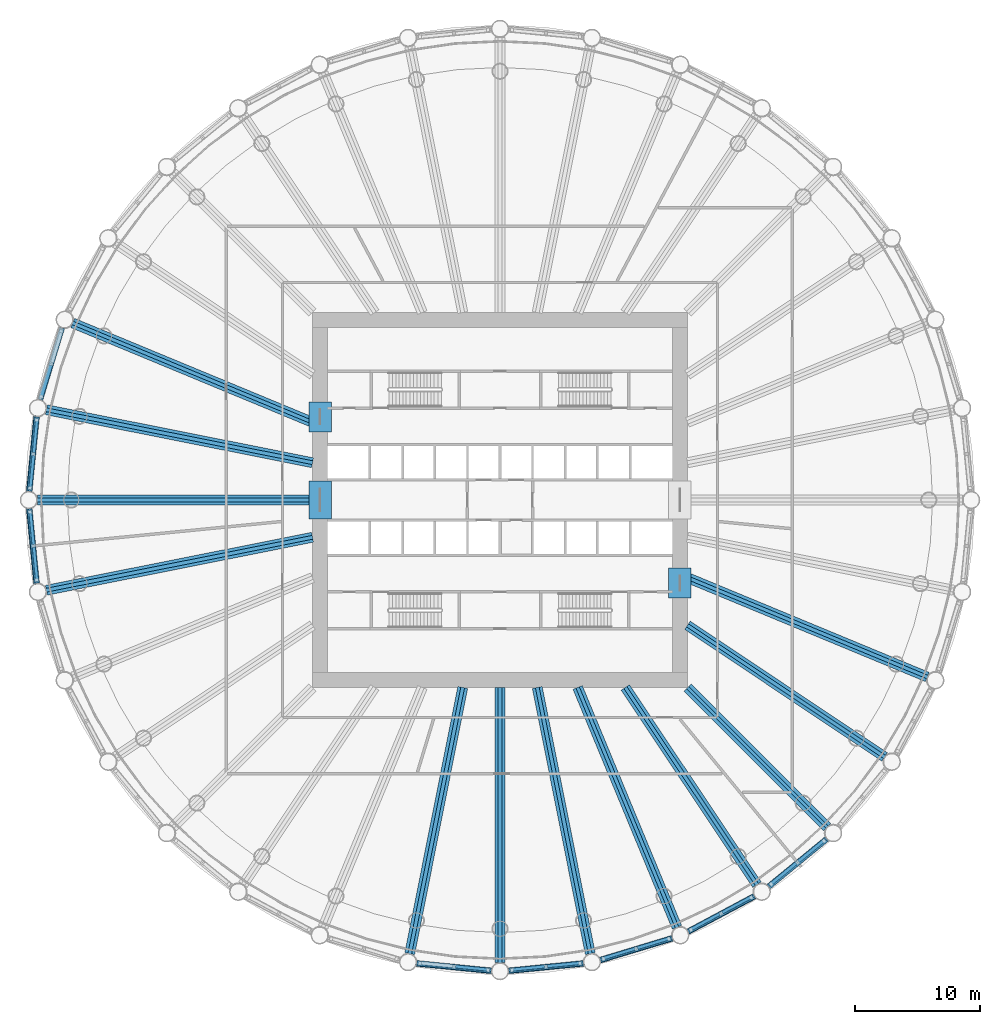
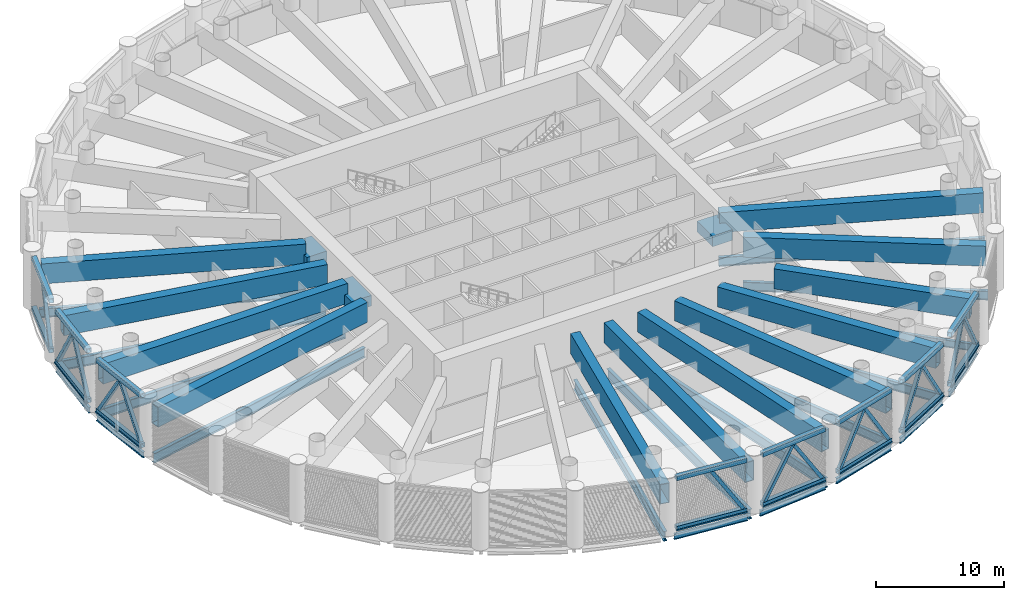
# One storey, part 2 of 26: 37 members, 34 beams, 7 elements without a shape of their own.
"""IFC4 building model written with IfcOpenShell, lengths in metres."""

from ifc_helpers import new_model, si_unit, direction, frame, origin, origin_2d, place, context, subcontext, project, spatial, rectangle, hollow_rectangle, i_section, extrude, material, material_profile, profile_set, type_object, element, aggregate, save


model = new_model("IFC4")

# Units and contexts
model_context = context("Model", 3, precision=1e-05, world=origin(), true_north=direction((0.0, 1.0)))
body_context = subcontext(model_context, "Body", "Model", "MODEL_VIEW")
ifc_project = project(units=[si_unit("LENGTHUNIT", "METRE"), si_unit("AREAUNIT", "SQUARE_METRE"), si_unit("VOLUMEUNIT", "CUBIC_METRE"), si_unit("PLANEANGLEUNIT", "RADIAN"), si_unit("MASSUNIT", "GRAM", prefix="KILO")], contexts=[model_context])

# Site, building, storey
site_placement = place(None, origin())
site = spatial("IfcSite", under=ifc_project, at=site_placement, CompositionType="ELEMENT")
building_placement = place(site_placement, origin())
building = spatial("IfcBuilding", under=site, at=building_placement, Name="Corvane Civic Tower", CompositionType="ELEMENT")
storey_placement = place(building_placement, frame((0.0, 0.0, 85.0)))
storey = spatial("IfcBuildingStorey", under=building, at=storey_placement, Name="L19", CompositionType="ELEMENT", Elevation=85.0)

# Members
ifc_material_1 = material(Name="Steel ASTM A500 Gr C", Category="steel")
ifc_material_profile_1 = material_profile(ifc_material_1, hollow_rectangle(XDim=0.406494140625, YDim=0.406494140625, WallThickness=0.0146484375, at=origin_2d()), Name="HSS16X16X5/8")
ifc_profile_set_1 = profile_set([ifc_material_profile_1], Name="Steel ASTM A500 Gr C")
member_type_1 = type_object("IfcMemberType", Name="BELT CHORD HSS16X16X5/8", PredefinedType="CHORD", material=ifc_profile_set_1)
for number, where, z_axis, x_axis, name in (
    (1, (26.116943359375, -27.10205078125, 4.94677734375), (-0.773023150081, -0.634377812851, 0.0), (0.634377812851, -0.773023150081, 0.0), "Belt truss BT-L19"),
    (2, (26.116943359375, -27.10205078125, 0.203125), (-0.773023150081, -0.634377812851, 0.0), (0.634377812851, -0.773023150081, 0.0), "Belt truss BT-L19"),
):
    element("IfcMember", number, at=place(storey_placement, frame(where, z_axis=z_axis, x_axis=x_axis)), inside=storey, type_object=member_type_1, Name=name, PredefinedType="CHORD", context=body_context, shape_type="SweptSolid", body=[
        extrude(hollow_rectangle(XDim=0.406494140625, YDim=0.406494140625, WallThickness=0.0146484375, at=origin_2d()), origin(), (0.0, 0.0, 1.0), 5.990478515625),
    ])
for number, where, z_axis, x_axis, name in (
    (3, (20.32763671875, -31.676513671875, 4.94677734375), (-0.881926118213, -0.471387655772, 0.0), (0.471387655772, -0.881926118213, 0.0), "Belt truss BT-L19"),
    (4, (20.32763671875, -31.676513671875, 0.203125), (-0.881926118213, -0.471387655772, 0.0), (0.471387655772, -0.881926118213, 0.0), "Belt truss BT-L19"),
):
    element("IfcMember", number, at=place(storey_placement, frame(where, z_axis=z_axis, x_axis=x_axis)), inside=storey, type_object=member_type_1, Name=name, PredefinedType="CHORD", context=body_context, shape_type="SweptSolid", body=[
        extrude(hollow_rectangle(XDim=0.406494140625, YDim=0.406494140625, WallThickness=0.0146484375, at=origin_2d()), origin(), (0.0, 0.0, 1.0), 5.990234375),
    ])
for number, where, z_axis, x_axis, name in (
    (5, (13.75732421875, -35.033447265625, 4.94677734375), (-0.956935582172, -0.290300347181, 0.0), (0.290300347181, -0.956935582172, 0.0), "Belt truss BT-L19"),
    (6, (13.75732421875, -35.033447265625, 0.203125), (-0.956935582172, -0.290300347181, 0.0), (0.290300347181, -0.956935582172, 0.0), "Belt truss BT-L19"),
):
    element("IfcMember", number, at=place(storey_placement, frame(where, z_axis=z_axis, x_axis=x_axis)), inside=storey, type_object=member_type_1, Name=name, PredefinedType="CHORD", context=body_context, shape_type="SweptSolid", body=[
        extrude(hollow_rectangle(XDim=0.406494140625, YDim=0.406494140625, WallThickness=0.0146484375, at=origin_2d()), origin(), (0.0, 0.0, 1.0), 5.990478515625),
    ])
for number, where, z_axis, x_axis, name in (
    (7, (6.658447265625, -37.044189453125, 4.94677734375), (-0.995185362969, -0.098010679686, 0.0), (0.098010679686, -0.995185362969, 0.0), "Belt truss BT-L19"),
    (8, (6.658447265625, -37.044189453125, 0.203125), (-0.995185362969, -0.098010679686, 0.0), (0.098010679686, -0.995185362969, 0.0), "Belt truss BT-L19"),
    (9, (-0.696533203125, -37.63134765625, 4.94677734375), (-0.995185362969, 0.098010679686, 0.0), (-0.098010679686, -0.995185362969, 0.0), "Belt truss BT-L19"),
    (10, (-0.696533203125, -37.63134765625, 0.203125), (-0.995185362969, 0.098010679686, 0.0), (-0.098010679686, -0.995185362969, 0.0), "Belt truss BT-L19"),
    (11, (-37.044189453125, -6.658447265625, 4.94677734375), (-0.098010679686, 0.995185362969, 0.0), (-0.995185362969, -0.098010679686, 0.0), "Belt truss BT-L19"),
    (12, (-37.044189453125, -6.658447265625, 0.203125), (-0.098010679686, 0.995185362969, 0.0), (-0.995185362969, -0.098010679686, 0.0), "Belt truss BT-L19"),
    (13, (-37.63134765625, 0.696533203125, 4.94677734375), (0.098010679686, 0.995185362969, 0.0), (-0.995185362969, 0.098010679686, 0.0), "Belt truss BT-L19"),
    (14, (-37.63134765625, 0.696533203125, 0.203125), (0.098010679686, 0.995185362969, 0.0), (-0.995185362969, 0.098010679686, 0.0), "Belt truss BT-L19"),
):
    element("IfcMember", number, at=place(storey_placement, frame(where, z_axis=z_axis, x_axis=x_axis)), inside=storey, type_object=member_type_1, Name=name, PredefinedType="CHORD", context=body_context, shape_type="SweptSolid", body=[
        extrude(hollow_rectangle(XDim=0.406494140625, YDim=0.406494140625, WallThickness=0.0146484375, at=origin_2d()), origin(), (0.0, 0.0, 1.0), 5.99072265625),
    ])
for number, where, z_axis, x_axis, name in (
    (15, (-36.7724609375, 8.02490234375, 4.94677734375), (0.290300347181, 0.956935582172, 0.0), (-0.956935582172, 0.290300347181, 0.0), "Belt truss BT-L19"),
    (16, (-36.7724609375, 8.02490234375, 0.203125), (0.290300347181, 0.956935582172, 0.0), (-0.956935582172, 0.290300347181, 0.0), "Belt truss BT-L19"),
):
    element("IfcMember", number, at=place(storey_placement, frame(where, z_axis=z_axis, x_axis=x_axis)), inside=storey, type_object=member_type_1, Name=name, PredefinedType="CHORD", context=body_context, shape_type="SweptSolid", body=[
        extrude(hollow_rectangle(XDim=0.406494140625, YDim=0.406494140625, WallThickness=0.0146484375, at=origin_2d()), origin(), (0.0, 0.0, 1.0), 5.990478515625),
    ])
ifc_material_2 = material(Name="Steel ASTM A500 Gr C", Category="steel")
ifc_material_profile_2 = material_profile(ifc_material_2, hollow_rectangle(XDim=0.3046875, YDim=0.3046875, WallThickness=0.01171875, at=origin_2d()), Name="HSS12X12X1/2")
ifc_profile_set_2 = profile_set([ifc_material_profile_2], Name="Steel ASTM A500 Gr C")
member_type_2 = type_object("IfcMemberType", Name="BELT DIAGONAL HSS12X12X1/2", PredefinedType="BRACE", material=ifc_profile_set_2)
for number, where, z_axis, x_axis, name in (
    (17, (25.923583984375, -27.2607421875, 0.406494140625), (-0.413424223183, -0.339272317529, 0.844970239857), (0.634375212776, -0.773025283814, 0.0), "Belt truss BT-L19"),
    (18, (21.679443359375, -30.74365234375, 0.406494140625), (0.413424223183, 0.339272317529, 0.844970239857), (-0.634375212776, 0.773025283814, 0.0), "Belt truss BT-L19"),
    (19, (20.107177734375, -31.794189453125, 0.406494140625), (-0.471643813443, -0.252136330684, 0.844973007847), (0.471451215163, -0.881892142907, 0.0), "Belt truss BT-L19"),
):
    element("IfcMember", number, at=place(storey_placement, frame(where, z_axis=z_axis, x_axis=x_axis)), inside=storey, type_object=member_type_2, Name=name, PredefinedType="BRACE", context=body_context, shape_type="SweptSolid", body=[
        extrude(hollow_rectangle(XDim=0.3046875, YDim=0.3046875, WallThickness=0.01171875, at=origin_2d()), origin(), (0.0, 0.0, 1.0), 5.1328125),
    ])
member_1_placement = place(storey_placement, frame((15.26513671875, -34.382568359375, 0.406494140625), z_axis=(0.471680795624, 0.252130674357, 0.844954052057), x_axis=(-0.47141424069, 0.881911908115, 0.0)))
element("IfcMember", 20, at=member_1_placement, inside=storey, type_object=member_type_2, Name="Belt truss BT-L19", PredefinedType="BRACE", context=body_context, shape_type="SweptSolid", body=[
    extrude(hollow_rectangle(XDim=0.3046875, YDim=0.3046875, WallThickness=0.01171875, at=origin_2d()), origin(), (0.0, 0.0, 1.0), 5.133056640625),
])
member_2_placement = place(storey_placement, frame((13.51806640625, -35.106201171875, 0.406494140625), z_axis=(-0.511789432368, -0.155201572288, 0.844975768218), x_axis=(0.290202393071, -0.956965292503, 0.0)))
element("IfcMember", 21, at=member_2_placement, inside=storey, type_object=member_type_2, Name="Belt truss BT-L19", PredefinedType="BRACE", context=body_context, shape_type="SweptSolid", body=[
    extrude(hollow_rectangle(XDim=0.3046875, YDim=0.3046875, WallThickness=0.01171875, at=origin_2d()), origin(), (0.0, 0.0, 1.0), 5.1328125),
])
for number, where, z_axis, x_axis, name in (
    (22, (8.26416015625, -36.699951171875, 0.406494140625), (0.511781874141, 0.155294406977, 0.844963289417), (-0.290365274905, 0.956915882996, 0.0), "Belt truss BT-L19"),
    (23, (6.40966796875, -37.068603515625, 0.406494140625), (-0.532271292461, -0.052461373924, 0.844946788542), (0.098086074712, -0.995177934817, 0.0), "Belt truss BT-L19"),
    (24, (0.9453125, -37.60693359375, 0.406494140625), (0.532272619983, 0.052413942205, 0.844948895898), (-0.097998002481, 0.9951866114, 0.0), "Belt truss BT-L19"),
    (25, (-0.9453125, -37.60693359375, 0.406494140625), (-0.532272619983, 0.052413942205, 0.844948895898), (-0.097998002481, -0.9951866114, 0.0), "Belt truss BT-L19"),
    (26, (-37.068603515625, -6.40966796875, 0.406494140625), (-0.052461373924, 0.532271292461, 0.844946788542), (-0.995177934817, -0.098086074712, 0.0), "Belt truss BT-L19"),
    (27, (-37.60693359375, -0.9453125, 0.406494140625), (0.052413942205, -0.532272619983, 0.844948895898), (0.9951866114, 0.097998002481, 0.0), "Belt truss BT-L19"),
    (28, (-37.60693359375, 0.9453125, 0.406494140625), (0.052413942205, 0.532272619983, 0.844948895898), (-0.9951866114, 0.097998002481, 0.0), "Belt truss BT-L19"),
    (29, (-37.068603515625, 6.40966796875, 0.406494140625), (-0.052461373924, -0.532271292461, 0.844946788542), (0.995177934817, -0.098086074712, 0.0), "Belt truss BT-L19"),
    (30, (-36.699951171875, 8.26416015625, 0.406494140625), (0.155294406977, 0.511781874141, 0.844963289417), (-0.956915882996, 0.290365274905, 0.0), "Belt truss BT-L19"),
):
    element("IfcMember", number, at=place(storey_placement, frame(where, z_axis=z_axis, x_axis=x_axis)), inside=storey, type_object=member_type_2, Name=name, PredefinedType="BRACE", context=body_context, shape_type="SweptSolid", body=[
        extrude(hollow_rectangle(XDim=0.3046875, YDim=0.3046875, WallThickness=0.01171875, at=origin_2d()), origin(), (0.0, 0.0, 1.0), 5.133056640625),
    ])

# Beams
ifc_material_3 = material(Name="Concrete C80/95", Category="concrete")
ifc_material_profile_3 = material_profile(ifc_material_3, rectangle(XDim=1.800048828125, YDim=1.0, at=origin_2d()), Name="COUPLING BEAM 1800X1000")
ifc_profile_set_3 = profile_set([ifc_material_profile_3], Name="Concrete C80/95")
beam_type_1 = type_object("IfcBeamType", Name="COUPLING BEAM COUPLING BEAM 1800X1000", PredefinedType="BEAM", material=ifc_profile_set_3)
beam_1_placement = place(storey_placement, frame((-14.39990234375, -1.5, 2.60009765625), z_axis=(0.0, 1.0, 0.0), x_axis=(-1.0, 0.0, 0.0)))
element("IfcBeam", 31, at=beam_1_placement, inside=storey, type_object=beam_type_1, Name="BM-L19-cpl-CW-LW", PredefinedType="BEAM", context=body_context, shape_type="SweptSolid", body=[
    extrude(rectangle(XDim=1.800048828125, YDim=1.0, at=origin_2d()), origin(), (0.0, 0.0, 1.0), 3.0),
])
for number, where, z_axis, x_axis, name in (
    (32, (-14.39990234375, 5.449951171875, 2.60009765625), (0.0, 1.0, 0.0), (-1.0, 0.0, 0.0), "BM-L19-cpl-CW-WN"),
    (33, (14.39990234375, -7.85009765625, 2.60009765625), (0.0, 1.0, 0.0), (-1.0, 0.0, 0.0), "BM-L19-cpl-CW-ES"),
):
    element("IfcBeam", number, at=place(storey_placement, frame(where, z_axis=z_axis, x_axis=x_axis)), inside=storey, type_object=beam_type_1, Name=name, PredefinedType="BEAM", context=body_context, shape_type="SweptSolid", body=[
        extrude(rectangle(XDim=1.800048828125, YDim=1.0, at=origin_2d()), origin(), (0.0, 0.0, 1.0), 2.400146484375),
    ])
ifc_material_4 = material(Name="Steel ASTM A992 Gr 50", Category="steel")
ifc_material_profile_4 = material_profile(ifc_material_4, i_section(OverallWidth=0.209228515625, OverallDepth=0.533447265625, WebThickness=0.01025390625, FlangeThickness=0.015625, at=origin_2d()), Name="W21X62")
ifc_profile_set_4 = profile_set([ifc_material_profile_4], Name="Steel ASTM A992 Gr 50")
beam_type_2 = type_object("IfcBeamType", Name="EDGE BEAM W21X62", PredefinedType="BEAM", material=ifc_profile_set_4)
beam_2_placement = place(storey_placement, frame((26.23291015625, -27.0068359375, -0.61669921875), z_axis=(-0.773015785286, -0.634386787141, 0.0), x_axis=(0.634386787141, -0.773015785286, 0.0)))
element("IfcBeam", 34, at=beam_2_placement, inside=storey, type_object=beam_type_2, Name="BM-L19-E13", PredefinedType="BEAM", context=body_context, shape_type="SweptSolid", body=[
    extrude(i_section(OverallWidth=0.209228515625, OverallDepth=0.533447265625, WebThickness=0.01025390625, FlangeThickness=0.015625, at=origin_2d()), origin(), (0.0, 0.0, 1.0), 6.290771484375),
])
for number, where, z_axis, x_axis, name in (
    (35, (20.4599609375, -31.605712890625, -0.61669921875), (-0.881916367906, -0.471405897311, 0.0), (0.471405897311, -0.881916367906, 0.0), "BM-L19-E14"),
    (36, (13.90087890625, -34.989990234375, -0.61669921875), (-0.956943740748, -0.290273452184, 0.0), (0.290273452184, -0.956943740748, 0.0), "BM-L19-E15"),
):
    element("IfcBeam", number, at=place(storey_placement, frame(where, z_axis=z_axis, x_axis=x_axis)), inside=storey, type_object=beam_type_2, Name=name, PredefinedType="BEAM", context=body_context, shape_type="SweptSolid", body=[
        extrude(i_section(OverallWidth=0.209228515625, OverallDepth=0.533447265625, WebThickness=0.01025390625, FlangeThickness=0.015625, at=origin_2d()), origin(), (0.0, 0.0, 1.0), 6.290283203125),
    ])
for number, where, z_axis, x_axis, name in (
    (37, (6.8076171875, -37.029541015625, -0.61669921875), (-0.995186682089, -0.097997284622, 0.0), (0.097997284622, -0.995186682089, 0.0), "BM-L19-E16"),
    (38, (-0.54736328125, -37.64599609375, -0.61669921875), (-0.995186682089, 0.097997284622, 0.0), (-0.097997284622, -0.995186682089, 0.0), "BM-L19-E17"),
    (39, (-37.029541015625, -6.8076171875, -0.61669921875), (-0.097997284622, 0.995186682089, 0.0), (-0.995186682089, -0.097997284622, 0.0), "BM-L19-E24"),
    (40, (-37.64599609375, 0.54736328125, -0.61669921875), (0.097997284622, 0.995186682089, 0.0), (-0.995186682089, 0.097997284622, 0.0), "BM-L19-E25"),
):
    element("IfcBeam", number, at=place(storey_placement, frame(where, z_axis=z_axis, x_axis=x_axis)), inside=storey, type_object=beam_type_2, Name=name, PredefinedType="BEAM", context=body_context, shape_type="SweptSolid", body=[
        extrude(i_section(OverallWidth=0.209228515625, OverallDepth=0.533447265625, WebThickness=0.01025390625, FlangeThickness=0.015625, at=origin_2d()), origin(), (0.0, 0.0, 1.0), 6.29052734375),
    ])
ifc_material_5 = material(Name="Steel ASTM A992 Gr 50", Category="steel")
ifc_material_profile_5 = material_profile(ifc_material_5, i_section(OverallWidth=0.256591796875, OverallDepth=0.693359375, WebThickness=0.014404296875, FlangeThickness=0.023681640625, at=origin_2d()), Name="W27X114")
ifc_profile_set_5 = profile_set([ifc_material_profile_5], Name="Steel ASTM A992 Gr 50")
beam_type_3 = type_object("IfcBeamType", Name="FLOOR GIRDER W27X114", PredefinedType="BEAM", material=ifc_profile_set_5)
beam_3_placement = place(storey_placement, frame((15.0, -15.0, -0.69677734375), z_axis=(0.707106781187, -0.707106781187, 0.0), x_axis=(0.707106781187, 0.707106781187, 0.0)))
element("IfcBeam", 41, at=beam_3_placement, inside=storey, type_object=beam_type_3, Name="BM-L19-G13", PredefinedType="BEAM", context=body_context, shape_type="SweptSolid", body=[
    extrude(i_section(OverallWidth=0.256591796875, OverallDepth=0.693359375, WebThickness=0.014404296875, FlangeThickness=0.023681640625, at=origin_2d()), origin(), (0.0, 0.0, 1.0), 15.936767578125),
])
ifc_material_6 = material(Name="Steel ASTM A992 Gr 50", Category="steel")
ifc_material_profile_6 = material_profile(ifc_material_6, i_section(OverallWidth=0.2919921875, OverallDepth=0.8583984375, WebThickness=0.01708984375, FlangeThickness=0.031005859375, at=origin_2d()), Name="W33X169")
ifc_profile_set_6 = profile_set([ifc_material_profile_6], Name="Steel ASTM A992 Gr 50")
beam_type_4 = type_object("IfcBeamType", Name="FLOOR GIRDER W33X169", PredefinedType="BEAM", material=ifc_profile_set_6)
beam_4_placement = place(storey_placement, frame((15.0, -6.213134765625, -0.779296875), z_axis=(0.923875834355, -0.382692360381, 0.0), x_axis=(0.382692360381, 0.923875834355, 0.0)))
element("IfcBeam", 42, at=beam_4_placement, inside=storey, type_object=beam_type_4, Name="BM-L19-G11", PredefinedType="BEAM", context=body_context, shape_type="SweptSolid", body=[
    extrude(i_section(OverallWidth=0.2919921875, OverallDepth=0.8583984375, WebThickness=0.01708984375, FlangeThickness=0.031005859375, at=origin_2d()), origin(), (0.0, 0.0, 1.0), 20.9140625),
])
for number, where, z_axis, x_axis, name in (
    (43, (15.0, -10.022705078125, -0.779296875), (0.831471985418, -0.555566681385, 0.0), (0.555566681385, 0.831471985418, 0.0), "BM-L19-G12"),
    (44, (10.022705078125, -15.0, -0.779296875), (0.555566681385, -0.831471985418, 0.0), (0.831471985418, 0.555566681385, 0.0), "BM-L19-G14"),
):
    element("IfcBeam", number, at=place(storey_placement, frame(where, z_axis=z_axis, x_axis=x_axis)), inside=storey, type_object=beam_type_4, Name=name, PredefinedType="BEAM", context=body_context, shape_type="SweptSolid", body=[
        extrude(i_section(OverallWidth=0.2919921875, OverallDepth=0.8583984375, WebThickness=0.01708984375, FlangeThickness=0.031005859375, at=origin_2d()), origin(), (0.0, 0.0, 1.0), 19.109619140625),
    ])
for number, where, z_axis, x_axis, name in (
    (45, (6.213134765625, -15.0, -0.779296875), (0.382692360381, -0.923875834355, 0.0), (0.923875834355, 0.382692360381, 0.0), "BM-L19-G15"),
    (46, (-15.0, 6.213134765625, -0.779296875), (-0.923875834355, 0.382692360381, 0.0), (-0.382692360381, -0.923875834355, 0.0), "BM-L19-G27"),
):
    element("IfcBeam", number, at=place(storey_placement, frame(where, z_axis=z_axis, x_axis=x_axis)), inside=storey, type_object=beam_type_4, Name=name, PredefinedType="BEAM", context=body_context, shape_type="SweptSolid", body=[
        extrude(i_section(OverallWidth=0.2919921875, OverallDepth=0.8583984375, WebThickness=0.01708984375, FlangeThickness=0.031005859375, at=origin_2d()), origin(), (0.0, 0.0, 1.0), 20.9140625),
    ])
ifc_material_7 = material(Name="Steel ASTM A992 Gr 50", Category="steel")
ifc_material_profile_7 = material_profile(ifc_material_7, i_section(OverallWidth=0.307373046875, OverallDepth=0.927001953125, WebThickness=0.01953125, FlangeThickness=0.031982421875, at=origin_2d()), Name="W36X194")
ifc_profile_set_7 = profile_set([ifc_material_profile_7], Name="Steel ASTM A992 Gr 50")
beam_type_5 = type_object("IfcBeamType", Name="FLOOR GIRDER W36X194", PredefinedType="BEAM", material=ifc_profile_set_7)
beam_5_placement = place(storey_placement, frame((2.983642578125, -15.0, -0.8134765625), z_axis=(0.195089219638, -0.980785499679, 0.0), x_axis=(0.980785499679, 0.195089219638, 0.0)))
element("IfcBeam", 47, at=beam_5_placement, inside=storey, type_object=beam_type_5, Name="BM-L19-G16", PredefinedType="BEAM", context=body_context, shape_type="SweptSolid", body=[
    extrude(i_section(OverallWidth=0.307373046875, OverallDepth=0.927001953125, WebThickness=0.01953125, FlangeThickness=0.031982421875, at=origin_2d()), origin(), (0.0, 0.0, 1.0), 21.856201171875),
])
beam_6_placement = place(storey_placement, frame((0.0, -15.0, -0.8134765625), z_axis=(0.0, -1.0, 0.0), x_axis=(1.0, 0.0, 0.0)))
element("IfcBeam", 48, at=beam_6_placement, inside=storey, type_object=beam_type_5, Name="BM-L19-G17", PredefinedType="BEAM", context=body_context, shape_type="SweptSolid", body=[
    extrude(i_section(OverallWidth=0.307373046875, OverallDepth=0.927001953125, WebThickness=0.01953125, FlangeThickness=0.031982421875, at=origin_2d()), origin(), (0.0, 0.0, 1.0), 22.14990234375),
])
for number, where, z_axis, x_axis, name in (
    (49, (-2.983642578125, -15.0, -0.8134765625), (-0.195089219638, -0.980785499679, 0.0), (0.980785499679, -0.195089219638, 0.0), "BM-L19-G18"),
    (50, (-15.0, -2.983642578125, -0.8134765625), (-0.980785499679, -0.195089219638, 0.0), (0.195089219638, -0.980785499679, 0.0), "BM-L19-G24"),
):
    element("IfcBeam", number, at=place(storey_placement, frame(where, z_axis=z_axis, x_axis=x_axis)), inside=storey, type_object=beam_type_5, Name=name, PredefinedType="BEAM", context=body_context, shape_type="SweptSolid", body=[
        extrude(i_section(OverallWidth=0.307373046875, OverallDepth=0.927001953125, WebThickness=0.01953125, FlangeThickness=0.031982421875, at=origin_2d()), origin(), (0.0, 0.0, 1.0), 21.856201171875),
    ])
beam_7_placement = place(storey_placement, frame((-15.0, 0.0, -0.8134765625), z_axis=(-1.0, 0.0, 0.0), x_axis=(0.0, -1.0, 0.0)))
element("IfcBeam", 51, at=beam_7_placement, inside=storey, type_object=beam_type_5, Name="BM-L19-G25", PredefinedType="BEAM", context=body_context, shape_type="SweptSolid", body=[
    extrude(i_section(OverallWidth=0.307373046875, OverallDepth=0.927001953125, WebThickness=0.01953125, FlangeThickness=0.031982421875, at=origin_2d()), origin(), (0.0, 0.0, 1.0), 22.14990234375),
])
beam_8_placement = place(storey_placement, frame((-15.0, 2.983642578125, -0.8134765625), z_axis=(-0.980785499679, 0.195089219638, 0.0), x_axis=(-0.195089219638, -0.980785499679, 0.0)))
element("IfcBeam", 52, at=beam_8_placement, inside=storey, type_object=beam_type_5, Name="BM-L19-G26", PredefinedType="BEAM", context=body_context, shape_type="SweptSolid", body=[
    extrude(i_section(OverallWidth=0.307373046875, OverallDepth=0.927001953125, WebThickness=0.01953125, FlangeThickness=0.031982421875, at=origin_2d()), origin(), (0.0, 0.0, 1.0), 21.856201171875),
])

# Curtain wall, member
ifc_material_8 = material(Name="Anodised aluminium bronze", Category="aluminium")
curtain_wall_type = type_object("IfcCurtainWallType", Name="TOWER CW-LV LOUVRE SCREEN WALL", PredefinedType="NOTDEFINED", material=ifc_material_8)
curtain_wall_1_placement = place(storey_placement, origin())
curtain_wall_1 = element("IfcCurtainWall", 53, at=curtain_wall_1_placement, inside=storey, type_object=curtain_wall_type, Name="Louvre screen wall CW-LV L19 bay 13", PredefinedType="NOTDEFINED")
ifc_material_9 = material(Name="Anodised aluminium bronze", Category="aluminium")
ifc_material_profile_8 = material_profile(ifc_material_9, rectangle(XDim=0.139892578125, YDim=0.1201171875, at=origin_2d()), Name="TOWER CW-LV TRANSOM 140x120")
ifc_profile_set_8 = profile_set([ifc_material_profile_8], Name="Anodised aluminium bronze")
member_type_3 = type_object("IfcMemberType", Name="TOWER CW-LV TRANSOM 140x120", PredefinedType="USERDEFINED", material=ifc_profile_set_8)
member_3_placement = place(storey_placement, frame((26.271728515625, -27.20654296875, 0.06005859375), z_axis=(-0.77301446029, -0.634388401677, 0.0), x_axis=(0.634388401677, -0.77301446029, 0.0)))
member_3 = element("IfcMember", 54, at=member_3_placement, type_object=member_type_3, Name="Transom CW-LV L19 13.1", ObjectType="TRANSOM", PredefinedType="USERDEFINED", context=body_context, shape_type="SweptSolid", body=[
    extrude(rectangle(XDim=0.139892578125, YDim=0.1201171875, at=origin_2d()), origin(), (0.0, 0.0, 1.0), 6.09716796875),
])
aggregate(curtain_wall_1, [member_3])

curtain_wall_2_placement = place(storey_placement, origin())
curtain_wall_2 = element("IfcCurtainWall", 55, at=curtain_wall_2_placement, inside=storey, type_object=curtain_wall_type, Name="Louvre screen wall CW-LV L19 bay 14", PredefinedType="NOTDEFINED")
member_4_placement = place(storey_placement, frame((20.459228515625, -31.809326171875, 0.06005859375), z_axis=(-0.881931381664, -0.47137780817, 0.0), x_axis=(0.47137780817, -0.881931381664, 0.0)))
member_4 = element("IfcMember", 56, at=member_4_placement, type_object=member_type_3, Name="Transom CW-LV L19 14.1", ObjectType="TRANSOM", PredefinedType="USERDEFINED", context=body_context, shape_type="SweptSolid", body=[
    extrude(rectangle(XDim=0.139892578125, YDim=0.1201171875, at=origin_2d()), origin(), (0.0, 0.0, 1.0), 6.09716796875),
])
aggregate(curtain_wall_2, [member_4])

curtain_wall_3_placement = place(storey_placement, origin())
curtain_wall_3 = element("IfcCurtainWall", 57, at=curtain_wall_3_placement, inside=storey, type_object=curtain_wall_type, Name="Louvre screen wall CW-LV L19 bay 15", PredefinedType="NOTDEFINED")
member_5_placement = place(storey_placement, frame((13.8603515625, -35.189453125, 0.06005859375), z_axis=(-0.956944551866, -0.29027077816, 0.0), x_axis=(0.29027077816, -0.956944551866, 0.0)))
member_5 = element("IfcMember", 58, at=member_5_placement, type_object=member_type_3, Name="Transom CW-LV L19 15.1", ObjectType="TRANSOM", PredefinedType="USERDEFINED", context=body_context, shape_type="SweptSolid", body=[
    extrude(rectangle(XDim=0.139892578125, YDim=0.1201171875, at=origin_2d()), origin(), (0.0, 0.0, 1.0), 6.096923828125),
])
aggregate(curtain_wall_3, [member_5])

curtain_wall_4_placement = place(storey_placement, origin())
curtain_wall_4 = element("IfcCurtainWall", 59, at=curtain_wall_4_placement, inside=storey, type_object=curtain_wall_type, Name="Louvre screen wall CW-LV L19 bay 16", PredefinedType="NOTDEFINED")
member_6_placement = place(storey_placement, frame((6.72900390625, -37.21728515625, 0.06005859375), z_axis=(-0.995188262136, -0.097981237525, 0.0), x_axis=(0.097981237525, -0.995188262136, 0.0)))
member_6 = element("IfcMember", 60, at=member_6_placement, type_object=member_type_3, Name="Transom CW-LV L19 16.1", ObjectType="TRANSOM", PredefinedType="USERDEFINED", context=body_context, shape_type="SweptSolid", body=[
    extrude(rectangle(XDim=0.139892578125, YDim=0.1201171875, at=origin_2d()), origin(), (0.0, 0.0, 1.0), 6.09716796875),
])
aggregate(curtain_wall_4, [member_6])

curtain_wall_5_placement = place(storey_placement, origin())
curtain_wall_5 = element("IfcCurtainWall", 61, at=curtain_wall_5_placement, inside=storey, type_object=curtain_wall_type, Name="Louvre screen wall CW-LV L19 bay 17", PredefinedType="NOTDEFINED")
member_7_placement = place(storey_placement, frame((-0.6611328125, -37.814697265625, 0.06005859375), z_axis=(-0.995188262136, 0.097981237525, 0.0), x_axis=(-0.097981237525, -0.995188262136, 0.0)))
member_7 = element("IfcMember", 62, at=member_7_placement, type_object=member_type_3, Name="Transom CW-LV L19 17.1", ObjectType="TRANSOM", PredefinedType="USERDEFINED", context=body_context, shape_type="SweptSolid", body=[
    extrude(rectangle(XDim=0.139892578125, YDim=0.1201171875, at=origin_2d()), origin(), (0.0, 0.0, 1.0), 6.09716796875),
])
aggregate(curtain_wall_5, [member_7])

curtain_wall_6_placement = place(storey_placement, origin())
curtain_wall_6 = element("IfcCurtainWall", 63, at=curtain_wall_6_placement, inside=storey, type_object=curtain_wall_type, Name="Louvre screen wall CW-LV L19 bay 24", PredefinedType="NOTDEFINED")
member_8_placement = place(storey_placement, frame((-37.21728515625, -6.72900390625, 0.06005859375), z_axis=(-0.097981237525, 0.995188262136, 0.0), x_axis=(-0.995188262136, -0.097981237525, 0.0)))
member_8 = element("IfcMember", 64, at=member_8_placement, type_object=member_type_3, Name="Transom CW-LV L19 24.1", ObjectType="TRANSOM", PredefinedType="USERDEFINED", context=body_context, shape_type="SweptSolid", body=[
    extrude(rectangle(XDim=0.139892578125, YDim=0.1201171875, at=origin_2d()), origin(), (0.0, 0.0, 1.0), 6.09716796875),
])
aggregate(curtain_wall_6, [member_8])

curtain_wall_7_placement = place(storey_placement, origin())
curtain_wall_7 = element("IfcCurtainWall", 65, at=curtain_wall_7_placement, inside=storey, type_object=curtain_wall_type, Name="Louvre screen wall CW-LV L19 bay 25", PredefinedType="NOTDEFINED")
member_9_placement = place(storey_placement, frame((-37.814697265625, 0.6611328125, 0.06005859375), z_axis=(0.097981237525, 0.995188262136, 0.0), x_axis=(-0.995188262136, 0.097981237525, 0.0)))
member_9 = element("IfcMember", 66, at=member_9_placement, type_object=member_type_3, Name="Transom CW-LV L19 25.1", ObjectType="TRANSOM", PredefinedType="USERDEFINED", context=body_context, shape_type="SweptSolid", body=[
    extrude(rectangle(XDim=0.139892578125, YDim=0.1201171875, at=origin_2d()), origin(), (0.0, 0.0, 1.0), 6.09716796875),
])
aggregate(curtain_wall_7, [member_9])

# Beams
ifc_material_10 = material(Name="Steel ASTM A572 Gr 50", Category="steel")
ifc_material_profile_9 = material_profile(ifc_material_10, hollow_rectangle(XDim=0.800048828125, YDim=1.89990234375, WallThickness=0.050048828125, at=origin_2d()), Name="BOX1900X800X50")
ifc_profile_set_9 = profile_set([ifc_material_profile_9], Name="Steel ASTM A572 Gr 50")
beam_type_6 = type_object("IfcBeamType", Name="TRANSFER GIRDER BOX1900X800X50", PredefinedType="BEAM", material=ifc_profile_set_9)
beam_9_placement = place(storey_placement, frame((15.0, -6.213134765625, 3.14990234375), z_axis=(0.923880550464, -0.382680974801, 0.0), x_axis=(0.382680974801, 0.923880550464, 0.0)))
element("IfcBeam", 67, at=beam_9_placement, inside=storey, type_object=beam_type_6, Name="Transfer girder TG-L19-11", PredefinedType="BEAM", context=body_context, shape_type="SweptSolid", body=[
    extrude(hollow_rectangle(XDim=0.800048828125, YDim=1.89990234375, WallThickness=0.050048828125, at=origin_2d()), origin(), (0.0, 0.0, 1.0), 20.76416015625),
])
beam_10_placement = place(storey_placement, frame((15.0, -10.022705078125, 3.14990234375), z_axis=(0.831469391198, -0.555570563926, 0.0), x_axis=(0.555570563926, 0.831469391198, 0.0)))
element("IfcBeam", 68, at=beam_10_placement, inside=storey, type_object=beam_type_6, Name="Transfer girder TG-L19-12", PredefinedType="BEAM", context=body_context, shape_type="SweptSolid", body=[
    extrude(hollow_rectangle(XDim=0.800048828125, YDim=1.89990234375, WallThickness=0.050048828125, at=origin_2d()), origin(), (0.0, 0.0, 1.0), 18.959716796875),
])
beam_11_placement = place(storey_placement, frame((15.0, -15.0, 3.14990234375), z_axis=(0.707106781187, -0.707106781187, 0.0), x_axis=(0.707106781187, 0.707106781187, 0.0)))
element("IfcBeam", 69, at=beam_11_placement, inside=storey, type_object=beam_type_6, Name="Transfer girder TG-L19-13", PredefinedType="BEAM", context=body_context, shape_type="SweptSolid", body=[
    extrude(hollow_rectangle(XDim=0.800048828125, YDim=1.89990234375, WallThickness=0.050048828125, at=origin_2d()), origin(), (0.0, 0.0, 1.0), 15.78662109375),
])
beam_12_placement = place(storey_placement, frame((10.022705078125, -15.0, 3.14990234375), z_axis=(0.555570563926, -0.831469391198, 0.0), x_axis=(0.831469391198, 0.555570563926, 0.0)))
element("IfcBeam", 70, at=beam_12_placement, inside=storey, type_object=beam_type_6, Name="Transfer girder TG-L19-14", PredefinedType="BEAM", context=body_context, shape_type="SweptSolid", body=[
    extrude(hollow_rectangle(XDim=0.800048828125, YDim=1.89990234375, WallThickness=0.050048828125, at=origin_2d()), origin(), (0.0, 0.0, 1.0), 18.959716796875),
])
beam_13_placement = place(storey_placement, frame((6.213134765625, -15.0, 3.14990234375), z_axis=(0.382680974801, -0.923880550464, 0.0), x_axis=(0.923880550464, 0.382680974801, 0.0)))
element("IfcBeam", 71, at=beam_13_placement, inside=storey, type_object=beam_type_6, Name="Transfer girder TG-L19-15", PredefinedType="BEAM", context=body_context, shape_type="SweptSolid", body=[
    extrude(hollow_rectangle(XDim=0.800048828125, YDim=1.89990234375, WallThickness=0.050048828125, at=origin_2d()), origin(), (0.0, 0.0, 1.0), 20.76416015625),
])
beam_14_placement = place(storey_placement, frame((2.983642578125, -15.0, 3.14990234375), z_axis=(0.19508860783, -0.980785621375, 0.0), x_axis=(0.980785621375, 0.19508860783, 0.0)))
element("IfcBeam", 72, at=beam_14_placement, inside=storey, type_object=beam_type_6, Name="Transfer girder TG-L19-16", PredefinedType="BEAM", context=body_context, shape_type="SweptSolid", body=[
    extrude(hollow_rectangle(XDim=0.800048828125, YDim=1.89990234375, WallThickness=0.050048828125, at=origin_2d()), origin(), (0.0, 0.0, 1.0), 21.7060546875),
])
beam_15_placement = place(storey_placement, frame((0.0, -15.0, 3.14990234375), z_axis=(0.0, -1.0, 0.0), x_axis=(1.0, 0.0, 0.0)))
element("IfcBeam", 73, at=beam_15_placement, inside=storey, type_object=beam_type_6, Name="Transfer girder TG-L19-17", PredefinedType="BEAM", context=body_context, shape_type="SweptSolid", body=[
    extrude(hollow_rectangle(XDim=0.800048828125, YDim=1.89990234375, WallThickness=0.050048828125, at=origin_2d()), origin(), (0.0, 0.0, 1.0), 22.0),
])
for number, where, z_axis, x_axis, name in (
    (74, (-2.983642578125, -15.0, 3.14990234375), (-0.19508860783, -0.980785621375, 0.0), (0.980785621375, -0.19508860783, 0.0), "Transfer girder TG-L19-18"),
    (75, (-15.0, -2.983642578125, 3.14990234375), (-0.980785621375, -0.19508860783, 0.0), (0.19508860783, -0.980785621375, 0.0), "Transfer girder TG-L19-24"),
):
    element("IfcBeam", number, at=place(storey_placement, frame(where, z_axis=z_axis, x_axis=x_axis)), inside=storey, type_object=beam_type_6, Name=name, PredefinedType="BEAM", context=body_context, shape_type="SweptSolid", body=[
        extrude(hollow_rectangle(XDim=0.800048828125, YDim=1.89990234375, WallThickness=0.050048828125, at=origin_2d()), origin(), (0.0, 0.0, 1.0), 21.7060546875),
    ])
beam_16_placement = place(storey_placement, frame((-15.0, 0.0, 3.14990234375), z_axis=(-1.0, 0.0, 0.0), x_axis=(0.0, -1.0, 0.0)))
element("IfcBeam", 76, at=beam_16_placement, inside=storey, type_object=beam_type_6, Name="Transfer girder TG-L19-25", PredefinedType="BEAM", context=body_context, shape_type="SweptSolid", body=[
    extrude(hollow_rectangle(XDim=0.800048828125, YDim=1.89990234375, WallThickness=0.050048828125, at=origin_2d()), origin(), (0.0, 0.0, 1.0), 22.0),
])
beam_17_placement = place(storey_placement, frame((-15.0, 2.983642578125, 3.14990234375), z_axis=(-0.980785621375, 0.19508860783, 0.0), x_axis=(-0.19508860783, -0.980785621375, 0.0)))
element("IfcBeam", 77, at=beam_17_placement, inside=storey, type_object=beam_type_6, Name="Transfer girder TG-L19-26", PredefinedType="BEAM", context=body_context, shape_type="SweptSolid", body=[
    extrude(hollow_rectangle(XDim=0.800048828125, YDim=1.89990234375, WallThickness=0.050048828125, at=origin_2d()), origin(), (0.0, 0.0, 1.0), 21.7060546875),
])
beam_18_placement = place(storey_placement, frame((-15.0, 6.213134765625, 3.14990234375), z_axis=(-0.923880550464, 0.382680974801, 0.0), x_axis=(-0.382680974801, -0.923880550464, 0.0)))
element("IfcBeam", 78, at=beam_18_placement, inside=storey, type_object=beam_type_6, Name="Transfer girder TG-L19-27", PredefinedType="BEAM", context=body_context, shape_type="SweptSolid", body=[
    extrude(hollow_rectangle(XDim=0.800048828125, YDim=1.89990234375, WallThickness=0.050048828125, at=origin_2d()), origin(), (0.0, 0.0, 1.0), 20.76416015625),
])

save(model, "model.ifc")
